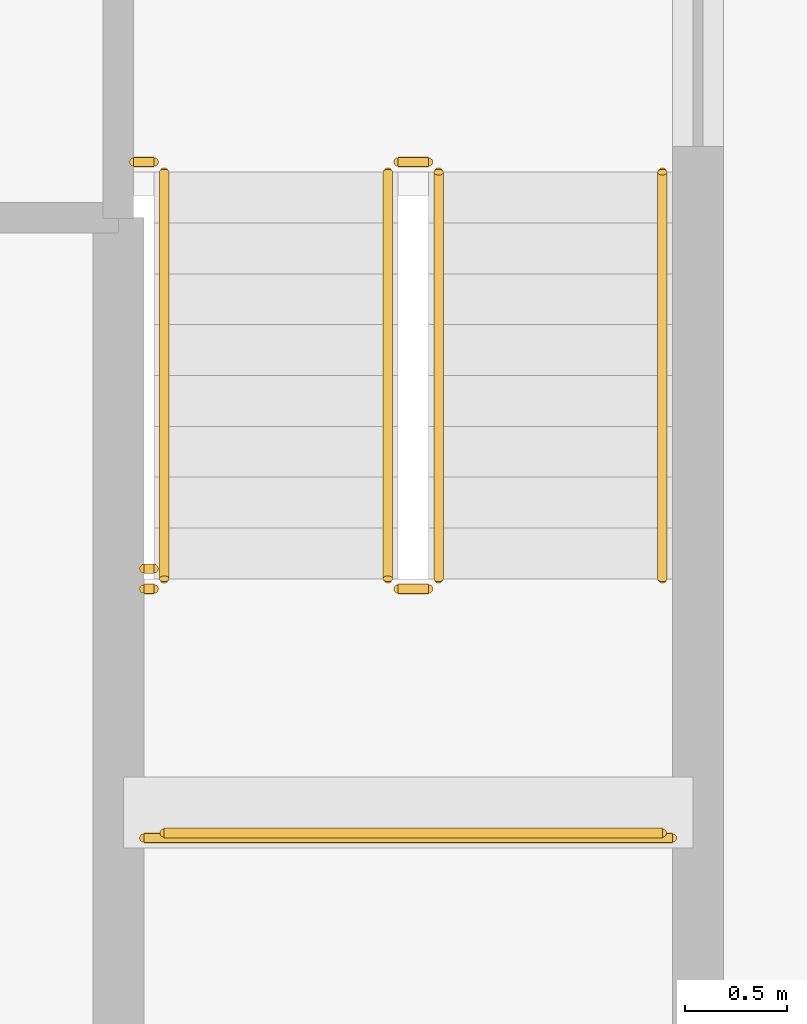
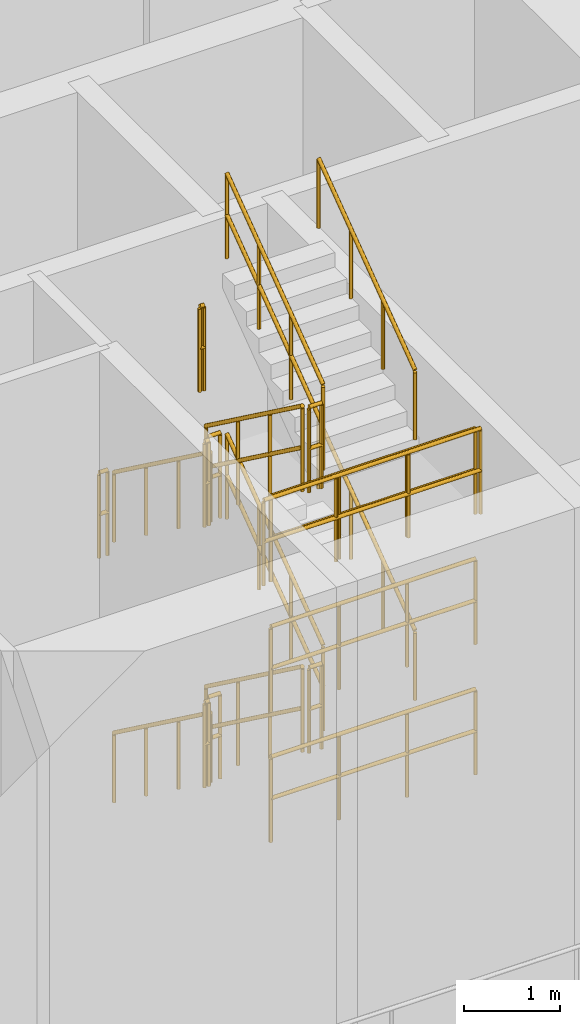
# One storey, part 16 of 19: 20 railings.
"""IFC4 building model written with IfcOpenShell, lengths in metres."""

from ifc_helpers import new_model, si_unit, direction, frame, origin, origin_2d, place, context, subcontext, project, spatial, circle, extrude, material, type_object, element, save


model = new_model("IFC4")

# Units and contexts
model_context = context("Model", 3, precision=1e-05, world=origin(), true_north=direction((0.0, 1.0)))
body_context = subcontext(model_context, "Body", "Model", "MODEL_VIEW")
ifc_project = project(units=[si_unit("LENGTHUNIT", "METRE"), si_unit("AREAUNIT", "SQUARE_METRE"), si_unit("VOLUMEUNIT", "CUBIC_METRE"), si_unit("PLANEANGLEUNIT", "RADIAN"), si_unit("MASSUNIT", "GRAM", prefix="KILO")], contexts=[model_context])

# Site, building, storey
site_placement = place(None, origin())
site = spatial("IfcSite", under=ifc_project, at=site_placement, CompositionType="ELEMENT")
building_placement = place(site_placement, origin())
building = spatial("IfcBuilding", under=site, at=building_placement, Name="Nakaniwa Court", CompositionType="ELEMENT")
storey_placement = place(building_placement, frame((0.0, 0.0, 170.10009765625)))
storey = spatial("IfcBuildingStorey", under=building, at=storey_placement, Name="S3", CompositionType="ELEMENT", Elevation=170.10009765625)

# Railings
ifc_material_1 = material(Name="Black powder coated steel guard", Category="steel")
railing_type_1 = type_object("IfcRailingType", Name="Stair guard 1100", PredefinedType="GUARDRAIL", material=ifc_material_1)
railing_1_placement = place(storey_placement, frame((81.875, 61.824951171875, 0.183349609375)))
element("IfcRailing", 1, at=railing_1_placement, inside=storey, type_object=railing_type_1, Name="S3 ST4 stair guard 1", PredefinedType="GUARDRAIL", context=body_context, shape_type="SweptSolid", body=[
    extrude(circle(Radius=0.02392578125, at=origin_2d()), frame((0.0, 0.0, 1.076171875), z_axis=(0.0, -0.806426902644, 0.591333789573), x_axis=(1.0, 0.0, 0.0)), (0.0, 0.0, 1.0), 2.47998046875),
    extrude(circle(Radius=0.02392578125, at=origin_2d()), frame((0.0, 0.0, 0.550048828125), z_axis=(0.0, -0.806426902644, 0.591333789573), x_axis=(1.0, 0.0, 0.0)), (0.0, 0.0, 1.0), 2.47998046875),
    extrude(circle(Radius=0.02099609375, at=origin_2d()), origin(), (0.0, 0.0, 1.0), 1.052001953125),
    extrude(circle(Radius=0.02099609375, at=origin_2d()), frame((0.0, -0.666748046875, 0.48876953125)), (0.0, 0.0, 1.0), 1.052001953125),
    extrude(circle(Radius=0.02099609375, at=origin_2d()), frame((0.0, -1.333251953125, 0.977783203125)), (0.0, 0.0, 1.0), 1.052001953125),
    extrude(circle(Radius=0.02099609375, at=origin_2d()), frame((0.0, -2.0, 1.466552734375)), (0.0, 0.0, 1.0), 1.052001953125),
])
railing_2_placement = place(storey_placement, frame((81.925048828125, 59.77490234375, 1.64990234375)))
element("IfcRailing", 2, at=railing_2_placement, inside=storey, type_object=railing_type_1, Name="S3 ST4 stair guard 2", PredefinedType="GUARDRAIL", context=body_context, shape_type="SweptSolid", body=[
    extrude(circle(Radius=0.02392578125, at=origin_2d()), frame((0.0, 0.0, 1.076171875), z_axis=(1.0, 0.0, 0.0), x_axis=(0.0, 1.0, 0.0)), (0.0, 0.0, 1.0), 0.14990234375),
    extrude(circle(Radius=0.02392578125, at=origin_2d()), frame((0.0, 0.0, 0.550048828125), z_axis=(1.0, 0.0, 0.0), x_axis=(0.0, 1.0, 0.0)), (0.0, 0.0, 1.0), 0.14990234375),
    extrude(circle(Radius=0.02099609375, at=origin_2d()), origin(), (0.0, 0.0, 1.0), 1.052001953125),
    extrude(circle(Radius=0.02099609375, at=origin_2d()), frame((0.14990234375, 0.0, 0.0)), (0.0, 0.0, 1.0), 1.052001953125),
])
railing_3_placement = place(storey_placement, frame((82.125, 59.824951171875, 1.833251953125)))
element("IfcRailing", 3, at=railing_3_placement, inside=storey, type_object=railing_type_1, Name="S3 ST4 stair guard 3", PredefinedType="GUARDRAIL", context=body_context, shape_type="SweptSolid", body=[
    extrude(circle(Radius=0.02392578125, at=origin_2d()), frame((0.0, 0.0, 1.076171875), z_axis=(0.0, 0.806426902644, 0.591333789573), x_axis=(-1.0, 0.0, 0.0)), (0.0, 0.0, 1.0), 2.47998046875),
    extrude(circle(Radius=0.02392578125, at=origin_2d()), frame((0.0, 0.0, 0.550048828125), z_axis=(0.0, 0.806426902644, 0.591333789573), x_axis=(-1.0, 0.0, 0.0)), (0.0, 0.0, 1.0), 2.47998046875),
    extrude(circle(Radius=0.02099609375, at=origin_2d()), origin(), (0.0, 0.0, 1.0), 1.052001953125),
    extrude(circle(Radius=0.02099609375, at=origin_2d()), frame((0.0, 0.666748046875, 0.48876953125)), (0.0, 0.0, 1.0), 1.052001953125),
    extrude(circle(Radius=0.02099609375, at=origin_2d()), frame((0.0, 1.333251953125, 0.977783203125)), (0.0, 0.0, 1.0), 1.052001953125),
    extrude(circle(Radius=0.02099609375, at=origin_2d()), frame((0.0, 2.0, 1.466552734375)), (0.0, 0.0, 1.0), 1.052001953125),
])
railing_4_placement = place(storey_placement, frame((81.925048828125, 61.875, 3.2998046875)))
element("IfcRailing", 4, at=railing_4_placement, inside=storey, type_object=railing_type_1, Name="S3 ST4 stair guard 4", PredefinedType="GUARDRAIL", context=body_context, shape_type="SweptSolid", body=[
    extrude(circle(Radius=0.02392578125, at=origin_2d()), frame((0.0, 0.0, 1.076171875), z_axis=(1.0, 0.0, 0.0), x_axis=(0.0, 1.0, 0.0)), (0.0, 0.0, 1.0), 0.14990234375),
    extrude(circle(Radius=0.02392578125, at=origin_2d()), frame((0.0, 0.0, 0.550048828125), z_axis=(1.0, 0.0, 0.0), x_axis=(0.0, 1.0, 0.0)), (0.0, 0.0, 1.0), 0.14990234375),
    extrude(circle(Radius=0.02099609375, at=origin_2d()), origin(), (0.0, 0.0, 1.0), 1.052001953125),
    extrude(circle(Radius=0.02099609375, at=origin_2d()), frame((0.14990234375, 0.0, 0.0)), (0.0, 0.0, 1.0), 1.052001953125),
])
railing_5_placement = place(storey_placement, frame((81.875, 61.824951171875, 3.483154296875)))
element("IfcRailing", 5, at=railing_5_placement, inside=storey, type_object=railing_type_1, Name="S3 ST4 stair guard 5", PredefinedType="GUARDRAIL", context=body_context, shape_type="SweptSolid", body=[
    extrude(circle(Radius=0.02392578125, at=origin_2d()), frame((0.0, 0.0, 1.076171875), z_axis=(0.0, -0.806379959628, 0.591397802423), x_axis=(1.0, 0.0, 0.0)), (0.0, 0.0, 1.0), 2.480224609375),
    extrude(circle(Radius=0.02392578125, at=origin_2d()), frame((0.0, 0.0, 0.550048828125), z_axis=(0.0, -0.806379959628, 0.591397802423), x_axis=(1.0, 0.0, 0.0)), (0.0, 0.0, 1.0), 2.480224609375),
    extrude(circle(Radius=0.02099609375, at=origin_2d()), origin(), (0.0, 0.0, 1.0), 1.052001953125),
    extrude(circle(Radius=0.02099609375, at=origin_2d()), frame((0.0, -0.666748046875, 0.489013671875)), (0.0, 0.0, 1.0), 1.052001953125),
    extrude(circle(Radius=0.02099609375, at=origin_2d()), frame((0.0, -1.333251953125, 0.977783203125)), (0.0, 0.0, 1.0), 1.052001953125),
    extrude(circle(Radius=0.02099609375, at=origin_2d()), frame((0.0, -2.0, 1.466796875)), (0.0, 0.0, 1.0), 1.052001953125),
])
railing_6_placement = place(storey_placement, frame((81.925048828125, 59.77490234375, 4.949951171875)))
element("IfcRailing", 6, at=railing_6_placement, inside=storey, type_object=railing_type_1, Name="S3 ST4 stair guard 6", PredefinedType="GUARDRAIL", context=body_context, shape_type="SweptSolid", body=[
    extrude(circle(Radius=0.02392578125, at=origin_2d()), frame((0.0, 0.0, 1.076171875), z_axis=(1.0, 0.0, 0.0), x_axis=(0.0, 1.0, 0.0)), (0.0, 0.0, 1.0), 0.14990234375),
    extrude(circle(Radius=0.02392578125, at=origin_2d()), frame((0.0, 0.0, 0.550048828125), z_axis=(1.0, 0.0, 0.0), x_axis=(0.0, 1.0, 0.0)), (0.0, 0.0, 1.0), 0.14990234375),
    extrude(circle(Radius=0.02099609375, at=origin_2d()), origin(), (0.0, 0.0, 1.0), 1.052001953125),
    extrude(circle(Radius=0.02099609375, at=origin_2d()), frame((0.14990234375, 0.0, 0.0)), (0.0, 0.0, 1.0), 1.052001953125),
])
railing_7_placement = place(storey_placement, frame((82.125, 59.824951171875, 5.13330078125)))
element("IfcRailing", 7, at=railing_7_placement, inside=storey, type_object=railing_type_1, Name="S3 ST4 stair guard 7", PredefinedType="GUARDRAIL", context=body_context, shape_type="SweptSolid", body=[
    extrude(circle(Radius=0.02392578125, at=origin_2d()), frame((0.0, 0.0, 1.076171875), z_axis=(0.0, 0.806426902644, 0.591333789573), x_axis=(-1.0, 0.0, 0.0)), (0.0, 0.0, 1.0), 2.47998046875),
    extrude(circle(Radius=0.02392578125, at=origin_2d()), frame((0.0, 0.0, 0.550048828125), z_axis=(0.0, 0.806426902644, 0.591333789573), x_axis=(-1.0, 0.0, 0.0)), (0.0, 0.0, 1.0), 2.47998046875),
    extrude(circle(Radius=0.02099609375, at=origin_2d()), origin(), (0.0, 0.0, 1.0), 1.052001953125),
    extrude(circle(Radius=0.02099609375, at=origin_2d()), frame((0.0, 0.666748046875, 0.48876953125)), (0.0, 0.0, 1.0), 1.052001953125),
    extrude(circle(Radius=0.02099609375, at=origin_2d()), frame((0.0, 1.333251953125, 0.977783203125)), (0.0, 0.0, 1.0), 1.052001953125),
    extrude(circle(Radius=0.02099609375, at=origin_2d()), frame((0.0, 2.0, 1.466552734375)), (0.0, 0.0, 1.0), 1.052001953125),
])
railing_8_placement = place(storey_placement, frame((81.925048828125, 61.875, 0.0)))
element("IfcRailing", 8, at=railing_8_placement, inside=storey, type_object=railing_type_1, Name="S3 ST4 stair guard 8", PredefinedType="GUARDRAIL", context=body_context, shape_type="SweptSolid", body=[
    extrude(circle(Radius=0.02392578125, at=origin_2d()), frame((0.0, 0.0, 1.076171875), z_axis=(1.0, 0.0, 0.0), x_axis=(0.0, 1.0, 0.0)), (0.0, 0.0, 1.0), 0.14990234375),
    extrude(circle(Radius=0.02392578125, at=origin_2d()), frame((0.0, 0.0, 0.550048828125), z_axis=(1.0, 0.0, 0.0), x_axis=(0.0, 1.0, 0.0)), (0.0, 0.0, 1.0), 0.14990234375),
    extrude(circle(Radius=0.02099609375, at=origin_2d()), origin(), (0.0, 0.0, 1.0), 1.052001953125),
    extrude(circle(Radius=0.02099609375, at=origin_2d()), frame((0.14990234375, 0.0, 0.0)), (0.0, 0.0, 1.0), 1.052001953125),
])
railing_9_placement = place(storey_placement, frame((80.675048828125, 59.77490234375, 1.64990234375)))
element("IfcRailing", 9, at=railing_9_placement, inside=storey, type_object=railing_type_1, Name="S3 ST4 landing side guard 1W", PredefinedType="GUARDRAIL", context=body_context, shape_type="SweptSolid", body=[
    extrude(circle(Radius=0.02392578125, at=origin_2d()), frame((0.0, 0.0, 1.076171875), z_axis=(1.0, 0.0, 0.0), x_axis=(0.0, 1.0, 0.0)), (0.0, 0.0, 1.0), 0.050048828125),
    extrude(circle(Radius=0.02392578125, at=origin_2d()), frame((0.0, 0.0, 0.550048828125), z_axis=(1.0, 0.0, 0.0), x_axis=(0.0, 1.0, 0.0)), (0.0, 0.0, 1.0), 0.050048828125),
    extrude(circle(Radius=0.02099609375, at=origin_2d()), origin(), (0.0, 0.0, 1.0), 1.052001953125),
    extrude(circle(Radius=0.02099609375, at=origin_2d()), frame((0.050048828125, 0.0, 0.0)), (0.0, 0.0, 1.0), 1.052001953125),
])
railing_10_placement = place(storey_placement, frame((80.625, 61.875, 3.2998046875)))
element("IfcRailing", 10, at=railing_10_placement, inside=storey, type_object=railing_type_1, Name="S3 ST4 landing side guard 2W", PredefinedType="GUARDRAIL", context=body_context, shape_type="SweptSolid", body=[
    extrude(circle(Radius=0.02392578125, at=origin_2d()), frame((0.0, 0.0, 1.076171875), z_axis=(1.0, 0.0, 0.0), x_axis=(0.0, 1.0, 0.0)), (0.0, 0.0, 1.0), 0.10009765625),
    extrude(circle(Radius=0.02392578125, at=origin_2d()), frame((0.0, 0.0, 0.550048828125), z_axis=(1.0, 0.0, 0.0), x_axis=(0.0, 1.0, 0.0)), (0.0, 0.0, 1.0), 0.10009765625),
    extrude(circle(Radius=0.02099609375, at=origin_2d()), origin(), (0.0, 0.0, 1.0), 1.052001953125),
    extrude(circle(Radius=0.02099609375, at=origin_2d()), frame((0.10009765625, 0.0, 0.0)), (0.0, 0.0, 1.0), 1.052001953125),
])
railing_11_placement = place(storey_placement, frame((80.675048828125, 58.550048828125, 4.949951171875)))
element("IfcRailing", 11, at=railing_11_placement, inside=storey, type_object=railing_type_1, Name="S3 ST4 landing end guard 3", PredefinedType="GUARDRAIL", context=body_context, shape_type="SweptSolid", body=[
    extrude(circle(Radius=0.02392578125, at=origin_2d()), frame((0.0, 0.0, 1.076171875), z_axis=(1.0, 0.0, 0.0), x_axis=(0.0, 1.0, 0.0)), (0.0, 0.0, 1.0), 2.599853515625),
    extrude(circle(Radius=0.02392578125, at=origin_2d()), frame((0.0, 0.0, 0.550048828125), z_axis=(1.0, 0.0, 0.0), x_axis=(0.0, 1.0, 0.0)), (0.0, 0.0, 1.0), 2.599853515625),
    extrude(circle(Radius=0.02099609375, at=origin_2d()), origin(), (0.0, 0.0, 1.0), 1.052001953125),
    extrude(circle(Radius=0.02099609375, at=origin_2d()), frame((0.86669921875, 0.0, 0.0)), (0.0, 0.0, 1.0), 1.052001953125),
    extrude(circle(Radius=0.02099609375, at=origin_2d()), frame((1.733154296875, 0.0, 0.0)), (0.0, 0.0, 1.0), 1.052001953125),
    extrude(circle(Radius=0.02099609375, at=origin_2d()), frame((2.599853515625, 0.0, 0.0)), (0.0, 0.0, 1.0), 1.052001953125),
])
for number, where, name in (
    (12, (80.675048828125, 59.77490234375, 4.949951171875), "S3 ST4 landing side guard 3W"),
    (13, (80.675048828125, 59.875, 6.599853515625), "S3 ST4 floor edge guard 3W"),
):
    element("IfcRailing", number, at=place(storey_placement, frame(where)), inside=storey, type_object=railing_type_1, Name=name, PredefinedType="GUARDRAIL", context=body_context, shape_type="SweptSolid", body=[
        extrude(circle(Radius=0.02392578125, at=origin_2d()), frame((0.0, 0.0, 1.076171875), z_axis=(1.0, 0.0, 0.0), x_axis=(0.0, 1.0, 0.0)), (0.0, 0.0, 1.0), 0.050048828125),
        extrude(circle(Radius=0.02392578125, at=origin_2d()), frame((0.0, 0.0, 0.550048828125), z_axis=(1.0, 0.0, 0.0), x_axis=(0.0, 1.0, 0.0)), (0.0, 0.0, 1.0), 0.050048828125),
        extrude(circle(Radius=0.02099609375, at=origin_2d()), origin(), (0.0, 0.0, 1.0), 1.052001953125),
        extrude(circle(Radius=0.02099609375, at=origin_2d()), frame((0.050048828125, 0.0, 0.0)), (0.0, 0.0, 1.0), 1.052001953125),
    ])
for number, where, name in (
    (14, (80.77490234375, 58.574951171875, 1.64990234375), "S3 ST4 stair far guard 1"),
    (15, (80.77490234375, 58.574951171875, 3.2998046875), "S3 ST4 stair far guard 2"),
    (16, (80.77490234375, 58.574951171875, 4.949951171875), "S3 ST4 stair far guard 3"),
):
    element("IfcRailing", number, at=place(storey_placement, frame(where)), inside=storey, type_object=railing_type_1, Name=name, PredefinedType="GUARDRAIL", context=body_context, shape_type="SweptSolid", body=[
        extrude(circle(Radius=0.02392578125, at=origin_2d()), frame((0.0, 0.0, 1.076171875), z_axis=(1.0, 0.0, 0.0), x_axis=(0.0, 1.0, 0.0)), (0.0, 0.0, 1.0), 2.4501953125),
        extrude(circle(Radius=0.02392578125, at=origin_2d()), frame((0.0, 0.0, 0.550048828125), z_axis=(1.0, 0.0, 0.0), x_axis=(0.0, 1.0, 0.0)), (0.0, 0.0, 1.0), 2.4501953125),
        extrude(circle(Radius=0.02099609375, at=origin_2d()), origin(), (0.0, 0.0, 1.0), 1.052001953125),
        extrude(circle(Radius=0.02099609375, at=origin_2d()), frame((0.816650390625, 0.0, 0.0)), (0.0, 0.0, 1.0), 1.052001953125),
        extrude(circle(Radius=0.02099609375, at=origin_2d()), frame((1.633544921875, 0.0, 0.0)), (0.0, 0.0, 1.0), 1.052001953125),
        extrude(circle(Radius=0.02099609375, at=origin_2d()), frame((2.4501953125, 0.0, 0.0)), (0.0, 0.0, 1.0), 1.052001953125),
    ])
ifc_material_2 = material(Name="Black powder coated steel handrail", Category="steel")
railing_type_2 = type_object("IfcRailingType", Name="Stair handrail 900", PredefinedType="HANDRAIL", material=ifc_material_2)
railing_12_placement = place(storey_placement, frame((80.77490234375, 61.824951171875, 0.183349609375)))
element("IfcRailing", 17, at=railing_12_placement, inside=storey, type_object=railing_type_2, Name="S3 ST4 stair handrail 1", PredefinedType="HANDRAIL", context=body_context, shape_type="SweptSolid", body=[
    extrude(circle(Radius=0.02392578125, at=origin_2d()), frame((0.0, 0.0, 0.8759765625), z_axis=(0.0, -0.806426902644, 0.591333789573), x_axis=(1.0, 0.0, 0.0)), (0.0, 0.0, 1.0), 2.47998046875),
    extrude(circle(Radius=0.02099609375, at=origin_2d()), origin(), (0.0, 0.0, 1.0), 0.851806640625),
    extrude(circle(Radius=0.02099609375, at=origin_2d()), frame((0.0, -0.666748046875, 0.48876953125)), (0.0, 0.0, 1.0), 0.851806640625),
    extrude(circle(Radius=0.02099609375, at=origin_2d()), frame((0.0, -1.333251953125, 0.977783203125)), (0.0, 0.0, 1.0), 0.851806640625),
    extrude(circle(Radius=0.02099609375, at=origin_2d()), frame((0.0, -2.0, 1.466552734375)), (0.0, 0.0, 1.0), 0.851806640625),
])
railing_13_placement = place(storey_placement, frame((83.22509765625, 59.824951171875, 1.833251953125)))
element("IfcRailing", 18, at=railing_13_placement, inside=storey, type_object=railing_type_2, Name="S3 ST4 stair handrail 2", PredefinedType="HANDRAIL", context=body_context, shape_type="SweptSolid", body=[
    extrude(circle(Radius=0.02392578125, at=origin_2d()), frame((0.0, 0.0, 0.8759765625), z_axis=(0.0, 0.806426902644, 0.591333789573), x_axis=(-1.0, 0.0, 0.0)), (0.0, 0.0, 1.0), 2.47998046875),
    extrude(circle(Radius=0.02099609375, at=origin_2d()), origin(), (0.0, 0.0, 1.0), 0.851806640625),
    extrude(circle(Radius=0.02099609375, at=origin_2d()), frame((0.0, 0.666748046875, 0.48876953125)), (0.0, 0.0, 1.0), 0.851806640625),
    extrude(circle(Radius=0.02099609375, at=origin_2d()), frame((0.0, 1.333251953125, 0.977783203125)), (0.0, 0.0, 1.0), 0.851806640625),
    extrude(circle(Radius=0.02099609375, at=origin_2d()), frame((0.0, 2.0, 1.466552734375)), (0.0, 0.0, 1.0), 0.851806640625),
])
railing_14_placement = place(storey_placement, frame((80.77490234375, 61.824951171875, 3.483154296875)))
element("IfcRailing", 19, at=railing_14_placement, inside=storey, type_object=railing_type_2, Name="S3 ST4 stair handrail 3", PredefinedType="HANDRAIL", context=body_context, shape_type="SweptSolid", body=[
    extrude(circle(Radius=0.02392578125, at=origin_2d()), frame((0.0, 0.0, 0.8759765625), z_axis=(0.0, -0.806379959628, 0.591397802423), x_axis=(1.0, 0.0, 0.0)), (0.0, 0.0, 1.0), 2.480224609375),
    extrude(circle(Radius=0.02099609375, at=origin_2d()), origin(), (0.0, 0.0, 1.0), 0.851806640625),
    extrude(circle(Radius=0.02099609375, at=origin_2d()), frame((0.0, -0.666748046875, 0.489013671875)), (0.0, 0.0, 1.0), 0.851806640625),
    extrude(circle(Radius=0.02099609375, at=origin_2d()), frame((0.0, -1.333251953125, 0.977783203125)), (0.0, 0.0, 1.0), 0.851806640625),
    extrude(circle(Radius=0.02099609375, at=origin_2d()), frame((0.0, -2.0, 1.466796875)), (0.0, 0.0, 1.0), 0.851806640625),
])
railing_15_placement = place(storey_placement, frame((83.22509765625, 59.824951171875, 5.13330078125)))
element("IfcRailing", 20, at=railing_15_placement, inside=storey, type_object=railing_type_2, Name="S3 ST4 stair handrail 4", PredefinedType="HANDRAIL", context=body_context, shape_type="SweptSolid", body=[
    extrude(circle(Radius=0.02392578125, at=origin_2d()), frame((0.0, 0.0, 0.8759765625), z_axis=(0.0, 0.806426902644, 0.591333789573), x_axis=(-1.0, 0.0, 0.0)), (0.0, 0.0, 1.0), 2.47998046875),
    extrude(circle(Radius=0.02099609375, at=origin_2d()), origin(), (0.0, 0.0, 1.0), 0.851806640625),
    extrude(circle(Radius=0.02099609375, at=origin_2d()), frame((0.0, 0.666748046875, 0.48876953125)), (0.0, 0.0, 1.0), 0.851806640625),
    extrude(circle(Radius=0.02099609375, at=origin_2d()), frame((0.0, 1.333251953125, 0.977783203125)), (0.0, 0.0, 1.0), 0.851806640625),
    extrude(circle(Radius=0.02099609375, at=origin_2d()), frame((0.0, 2.0, 1.466552734375)), (0.0, 0.0, 1.0), 0.851806640625),
])

save(model, "model.ifc")
